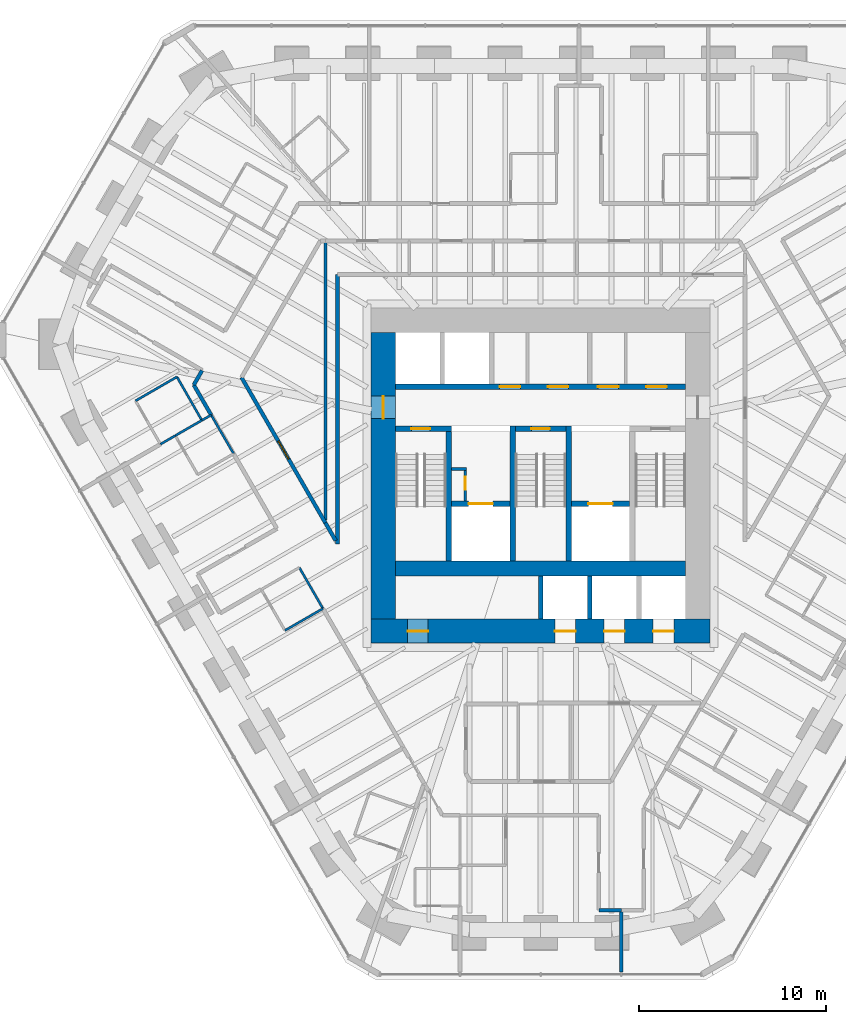
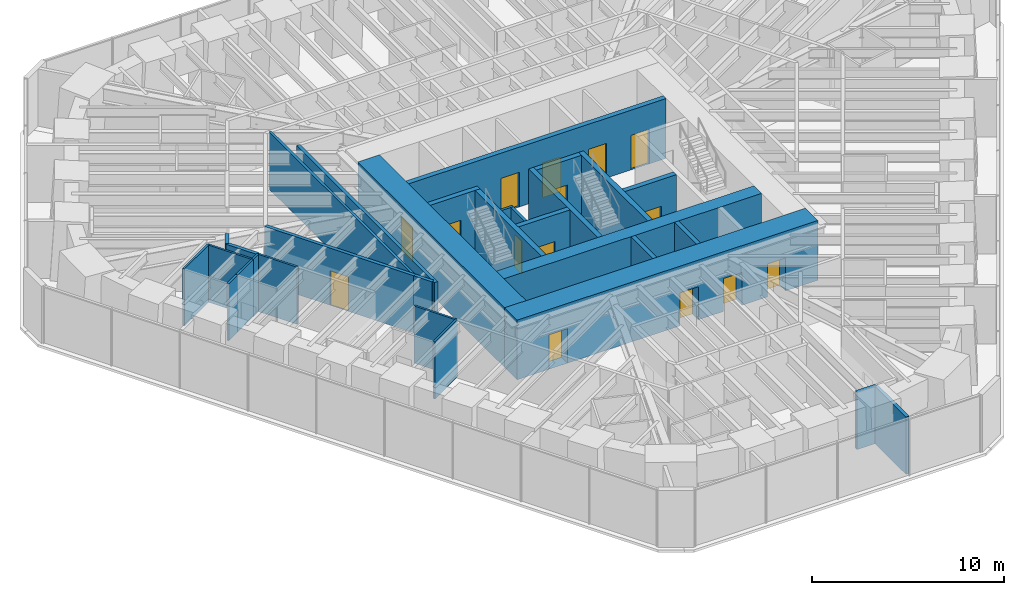
# One storey, part 12 of 17: 31 walls, 15 doors, 15 openings.
"""IFC4 building model written with IfcOpenShell, lengths in metres."""

import ifcopenshell
import ifcopenshell.guid

model = None  # the IFC model being written
_history = None  # IfcOwnerHistory: only IFC2X3 demands one
_inside = {}  # id of a spatial element -> (the spatial element, [elements in it])
_under = {}  # id of a project, library or spatial element -> (it, [spatial elements below it])
_declared = {}  # id of a project -> (the project, [libraries it declares])
_typed = {}  # id of a type object -> (the type object, [elements of that type])
_made_of = {}  # id of a material, layer set ... -> (it, [elements and type objects made of it])


def new_model(schema):
    """Start an empty IFC model of exactly this schema.

    Asked for "IFC4X3", IfcOpenShell would pick the latest addendum, in which some entities
    have other attributes; the version numbers below select the first issue.
    IFC2X3 requires an IfcOwnerHistory on every rooted entity: one is made here for all.
    """
    global model, _history
    if schema == "IFC4X3":
        model = ifcopenshell.file(schema_version=(4, 3, 0, 0))
    else:
        model = ifcopenshell.file(schema=schema)
    _inside.clear()
    _under.clear()
    _declared.clear()
    _typed.clear()
    _made_of.clear()
    _history = None
    if model.schema == "IFC2X3":
        org = make("IfcOrganization", Name="unknown")
        user = make(
            "IfcPersonAndOrganization",
            ThePerson=make("IfcPerson", FamilyName="unknown"),
            TheOrganization=org,
        )
        app = make(
            "IfcApplication",
            ApplicationDeveloper=org,
            Version="unknown",
            ApplicationFullName="unknown",
            ApplicationIdentifier="unknown",
        )
        _history = make(
            "IfcOwnerHistory",
            OwningUser=user,
            OwningApplication=app,
            ChangeAction="ADDED",
            CreationDate=0,
        )
    return model


def make(cls, **values):
    """One entity of the class cls with the attributes given. An attribute that is None is left unset."""
    return model.create_entity(
        cls, **{name: value for name, value in values.items() if value is not None}
    )


def rooted(cls, **values):
    """An entity with a GlobalId (a new one), such as an element, a storey or a relation."""
    return make(cls, GlobalId=ifcopenshell.guid.new(), OwnerHistory=_history, **values)


def si_unit(unit_type, name, prefix=None):
    """IfcSIUnit, for example si_unit("LENGTHUNIT", "METRE", prefix="MILLI")."""
    return make("IfcSIUnit", UnitType=unit_type, Prefix=prefix, Name=name)


def assignment(units):
    """IfcUnitAssignment: the units of a project."""
    return None if units is None else make("IfcUnitAssignment", Units=units)


def point(xyz):
    """IfcCartesianPoint."""
    return None if xyz is None else make("IfcCartesianPoint", Coordinates=xyz)


def direction(xyz):
    """IfcDirection."""
    return None if xyz is None else make("IfcDirection", DirectionRatios=xyz)


def frame(location, z_axis=None, x_axis=None):
    """IfcAxis2Placement3D, a coordinate frame: its origin and axes. An axis left out is left unset."""
    return make(
        "IfcAxis2Placement3D",
        Location=point(location),
        Axis=direction(z_axis),
        RefDirection=direction(x_axis),
    )


def frame_2d(location, x_axis=None):
    """IfcAxis2Placement2D, a coordinate frame in the plane: its origin and x axis."""
    return make(
        "IfcAxis2Placement2D", Location=point(location), RefDirection=direction(x_axis)
    )


def origin():
    """The frame at (0, 0, 0) with its axes left unset."""
    return frame((0.0, 0.0, 0.0))


def place(relative_to, where):
    """IfcLocalPlacement: puts the frame where relative to a parent placement (None: the world)."""
    return make(
        "IfcLocalPlacement", PlacementRelTo=relative_to, RelativePlacement=where
    )


def context(
    kind, dimensions, precision=None, world=None, true_north=None, identifier=None
):
    """IfcGeometricRepresentationContext, for example the 3D "Model" context."""
    return make(
        "IfcGeometricRepresentationContext",
        ContextIdentifier=identifier,
        ContextType=kind,
        CoordinateSpaceDimension=dimensions,
        Precision=precision,
        WorldCoordinateSystem=world,
        TrueNorth=true_north,
    )


def subcontext(parent, identifier, kind, view, scale=None):
    """IfcGeometricRepresentationSubContext, for example "Body" below "Model"."""
    return make(
        "IfcGeometricRepresentationSubContext",
        ContextIdentifier=identifier,
        ContextType=kind,
        ParentContext=parent,
        TargetScale=scale,
        TargetView=view,
    )


def project(units=None, contexts=None):
    """IfcProject with its units and contexts."""
    return rooted(
        "IfcProject",
        Name="project",
        RepresentationContexts=contexts,
        UnitsInContext=assignment(units),
    )


def spatial(cls, under=None, at=None, **own):
    """A site, building, storey or space (cls), placed at a placement, below another one or the project."""
    s = rooted(cls, ObjectPlacement=at, **own)
    if under is not None:
        _under.setdefault(under.id(), (under, []))[1].append(s)
    return s


def profile(cls, at=None, kind="AREA", **sizes):
    """A parametric profile (cls). Its sizes go by their IFC names, for example OverallWidth=200.0."""
    return make(cls, ProfileType=kind, Position=at, **sizes)


def rectangle(**sizes):
    """IfcRectangleProfileDef."""
    return profile("IfcRectangleProfileDef", **sizes)


def extrude(swept, where, along, depth):
    """IfcExtrudedAreaSolid: the profile swept, set in the frame where, extruded along a direction by depth."""
    return make(
        "IfcExtrudedAreaSolid",
        SweptArea=swept,
        Position=where,
        ExtrudedDirection=direction(along),
        Depth=depth,
    )


def shape(context_of_items, identifier, shape_type, items):
    """IfcShapeRepresentation: the items that make up one representation, for example the "Body"."""
    return make(
        "IfcShapeRepresentation",
        ContextOfItems=context_of_items,
        RepresentationIdentifier=identifier,
        RepresentationType=shape_type,
        Items=items,
    )


def material(Name=None, Category=None):
    """IfcMaterial."""
    return make("IfcMaterial", Name=Name, Category=Category)


def layer(
    of_material, thickness, ventilated=None, Name=None, Category=None, Priority=None
):
    """IfcMaterialLayer: one layer of a wall or slab, of a material (None: an air gap)."""
    return make(
        "IfcMaterialLayer",
        Material=of_material,
        LayerThickness=thickness,
        IsVentilated=ventilated,
        Name=Name,
        Category=Category,
        Priority=Priority,
    )


def layer_set(layers, Name=None):
    """IfcMaterialLayerSet."""
    return make("IfcMaterialLayerSet", MaterialLayers=layers, LayerSetName=Name)


def made_of(thing, what):
    """Note that an element or type object is made of a material, layer set ...; save() writes the relation."""
    if what is not None:
        _made_of.setdefault(what.id(), (what, []))[1].append(thing)
    return thing


def type_object(cls, material=None, **own):
    """A type object (cls), such as IfcWallType, which elements share."""
    return made_of(rooted(cls, **own), material)


def element(
    cls,
    number,
    at=None,
    inside=None,
    cuts=None,
    type_object=None,
    material=None,
    context=None,
    identifier="Body",
    shape_type=None,
    held_by="IfcProductDefinitionShape",
    body=None,
    shapes=None,
    **own,
):
    """One element of the class cls, such as IfcWall. Its Tag is "e" and its number.

    at: its placement. inside: the storey or other place that contains it. cuts: it is an
    opening in that element (IfcRelVoidsElement). A single representation is given by context,
    identifier, shape_type and body (its items); several are given by shapes. held_by: the class
    of the entity that holds the representations. save() writes the other relations.
    """
    e = rooted(cls, Tag="e%d" % number, ObjectPlacement=at, **own)
    if body is not None:
        shapes = [shape(context, identifier, shape_type, body)]
    if shapes is not None:
        e.Representation = make(held_by, Representations=shapes)
    if inside is not None:
        _inside.setdefault(inside.id(), (inside, []))[1].append(e)
    if cuts is not None:
        rooted(
            "IfcRelVoidsElement", RelatingBuildingElement=cuts, RelatedOpeningElement=e
        )
    if type_object is not None:
        _typed.setdefault(type_object.id(), (type_object, []))[1].append(e)
    return made_of(e, material)


def fill(opening, filler):
    """IfcRelFillsElement: the door or window that sits in an opening."""
    return rooted(
        "IfcRelFillsElement",
        RelatingOpeningElement=opening,
        RelatedBuildingElement=filler,
    )


def aggregate(whole, parts):
    """IfcRelAggregates: a whole, such as a stair, and the parts it consists of."""
    return rooted("IfcRelAggregates", RelatingObject=whole, RelatedObjects=parts)


def save(model, path):
    """Write the relations noted so far, then the file.

    IfcRelAggregates (storeys below a building ...), IfcRelContainedInSpatialStructure (elements
    in a storey), IfcRelDefinesByType, IfcRelAssociatesMaterial and IfcRelDeclares: one each for
    every whole, place, type object, material and project.
    """
    for whole, parts in _under.values():
        aggregate(whole, parts)
    for where, things in _inside.values():
        rooted(
            "IfcRelContainedInSpatialStructure",
            RelatedElements=things,
            RelatingStructure=where,
        )
    for kind, things in _typed.values():
        rooted("IfcRelDefinesByType", RelatedObjects=things, RelatingType=kind)
    for what, things in _made_of.values():
        rooted("IfcRelAssociatesMaterial", RelatedObjects=things, RelatingMaterial=what)
    for by, libraries in _declared.values():
        rooted("IfcRelDeclares", RelatingContext=by, RelatedDefinitions=libraries)
    model.write(path)


model = new_model("IFC4")

# Units and contexts
model_context = context("Model", 3, precision=1e-05, world=origin(), true_north=direction((0.0, 1.0)))
body_context = subcontext(model_context, "Body", "Model", "MODEL_VIEW")
ifc_project = project(units=[si_unit("LENGTHUNIT", "METRE"), si_unit("AREAUNIT", "SQUARE_METRE"), si_unit("VOLUMEUNIT", "CUBIC_METRE"), si_unit("PLANEANGLEUNIT", "RADIAN"), si_unit("MASSUNIT", "GRAM", prefix="KILO")], contexts=[model_context])

# Site, building, storey
site_placement = place(None, origin())
site = spatial("IfcSite", under=ifc_project, at=site_placement, CompositionType="ELEMENT")
building_placement = place(site_placement, origin())
building = spatial("IfcBuilding", under=site, at=building_placement, Name="Sandreach Pilgrim Tower", CompositionType="ELEMENT")
storey_placement = place(building_placement, frame((0.0, 0.0, 165.199951171875)))
storey = spatial("IfcBuildingStorey", under=building, at=storey_placement, Name="L41", CompositionType="ELEMENT", Elevation=165.199951171875)

# Walls
ifc_material_1 = material(Name="Gypsum board on steel studs", Category="steel")
ifc_layer_1 = layer(ifc_material_1, 0.14990234375)
ifc_layer_set_1 = layer_set([ifc_layer_1], Name="Back of house wall 150")
wall_type_1 = type_object("IfcWallType", Name="Back of house wall 150", PredefinedType="PARTITIONING", material=ifc_layer_set_1)
wall_1_placement = place(storey_placement, frame((-11.5, 10.989990234375, 0.0), z_axis=(0.0, 0.0, 1.0), x_axis=(0.0, -1.0, 0.0)))
element("IfcWall", 1, at=wall_1_placement, inside=storey, type_object=wall_type_1, Name="Back of house wall L41-050", PredefinedType="PARTITIONING", context=body_context, shape_type="SweptSolid", body=[
    extrude(rectangle(XDim=14.905029296875, YDim=0.14990234375, at=frame_2d((7.45263671875, 0.0))), origin(), (0.0, 0.0, 1.0), 3.64013671875),
])
ifc_material_2 = material(Name="Moisture-resistant gypsum board on steel studs", Category="steel")
ifc_layer_2 = layer(ifc_material_2, 0.1201171875)
ifc_layer_set_2 = layer_set([ifc_layer_2], Name="Bathroom partition 120")
wall_type_2 = type_object("IfcWallType", Name="Bathroom partition 120", PredefinedType="PARTITIONING", material=ifc_layer_set_2)
wall_2_placement = place(storey_placement, frame((-20.31005859375, 0.1298828125, 0.0), z_axis=(0.0, 0.0, 1.0), x_axis=(0.864088651014, 0.503339649926, 0.0)))
element("IfcWall", 2, at=wall_2_placement, inside=storey, type_object=wall_type_2, Name="Bathroom partition L41-009", PredefinedType="PARTITIONING", context=body_context, shape_type="SweptSolid", body=[
    extrude(rectangle(XDim=0.914306640625, YDim=0.1201171875, at=frame_2d((0.45703125, 0.0))), origin(), (0.0, 0.0, 1.0), 3.64013671875),
])
wall_3_placement = place(storey_placement, frame((-19.52001953125, 0.590087890625, 0.0), z_axis=(0.0, 0.0, 1.0), x_axis=(0.86741733639, 0.49758131449, 0.0)))
element("IfcWall", 3, at=wall_3_placement, inside=storey, type_object=wall_type_2, Name="Bathroom partition L41-011", PredefinedType="PARTITIONING", context=body_context, shape_type="SweptSolid", body=[
    extrude(rectangle(XDim=1.6396484375, YDim=0.1201171875, at=frame_2d((0.81982421875, 0.0))), origin(), (0.0, 0.0, 1.0), 3.64013671875),
])
wall_4_placement = place(storey_placement, frame((-19.429931640625, 3.72998046875, 0.0), z_axis=(0.0, 0.0, 1.0), x_axis=(-0.865328095335, -0.50120583339, 0.0)))
element("IfcWall", 4, at=wall_4_placement, inside=storey, type_object=wall_type_2, Name="Bathroom partition L41-012", PredefinedType="PARTITIONING", context=body_context, shape_type="SweptSolid", body=[
    extrude(rectangle(XDim=2.553955078125, YDim=0.1201171875, at=frame_2d((1.27685546875, 0.0))), origin(), (0.0, 0.0, 1.0), 3.64013671875),
])
wall_5_placement = place(storey_placement, frame((-18.10009765625, 1.409912109375, 0.0), z_axis=(0.0, 0.0, 1.0), x_axis=(-0.497288831399, 0.867585049529, 0.0)))
element("IfcWall", 5, at=wall_5_placement, inside=storey, type_object=wall_type_2, Name="Bathroom partition L41-017", PredefinedType="PARTITIONING", context=body_context, shape_type="SweptSolid", body=[
    extrude(rectangle(XDim=2.674072265625, YDim=0.1201171875, at=frame_2d((1.3369140625, 0.0))), origin(), (0.0, 0.0, 1.0), 3.64013671875),
])
wall_6_placement = place(storey_placement, frame((-18.09765625, 1.406005859375, 0.0), z_axis=(0.0, 0.0, 1.0), x_axis=(0.86863611018, 0.495450611152, 0.0)))
element("IfcWall", 6, at=wall_6_placement, inside=storey, type_object=wall_type_2, Name="Bathroom partition L41-018", PredefinedType="PARTITIONING", context=body_context, shape_type="SweptSolid", body=[
    extrude(rectangle(XDim=0.572998046875, YDim=0.1201171875, at=frame_2d((0.28662109375, 0.0))), origin(), (0.0, 0.0, 1.0), 3.64013671875),
])
wall_7_placement = place(storey_placement, frame((-17.60009765625, 1.68994140625, 0.0), z_axis=(0.0, 0.0, 1.0), x_axis=(0.501623408317, -0.865086097581, 0.0)))
element("IfcWall", 7, at=wall_7_placement, inside=storey, type_object=wall_type_2, Name="Bathroom partition L41-021", PredefinedType="PARTITIONING", context=body_context, shape_type="SweptSolid", body=[
    extrude(rectangle(XDim=2.392578125, YDim=0.1201171875, at=frame_2d((1.1962890625, 0.0))), origin(), (0.0, 0.0, 1.0), 3.64013671875),
])
wall_8_placement = place(storey_placement, frame((-13.659912109375, -9.820068359375, 0.0), z_axis=(0.0, 0.0, 1.0), x_axis=(0.866345142729, 0.499445786517, 0.0)))
element("IfcWall", 8, at=wall_8_placement, inside=storey, type_object=wall_type_2, Name="Bathroom partition L41-041", PredefinedType="PARTITIONING", context=body_context, shape_type="SweptSolid", body=[
    extrude(rectangle(XDim=2.343017578125, YDim=0.1201171875, at=frame_2d((1.17138671875, 0.0))), origin(), (0.0, 0.0, 1.0), 3.64013671875),
])
wall_9_placement = place(storey_placement, frame((-12.889892578125, -6.4599609375, 0.0), z_axis=(0.0, 0.0, 1.0), x_axis=(0.498707120669, -0.866770562372, 0.0)))
element("IfcWall", 9, at=wall_9_placement, inside=storey, type_object=wall_type_2, Name="Bathroom partition L41-043", PredefinedType="PARTITIONING", context=body_context, shape_type="SweptSolid", body=[
    extrude(rectangle(XDim=2.526611328125, YDim=0.1201171875, at=frame_2d((1.26318359375, 0.0))), origin(), (0.0, 0.0, 1.0), 3.64013671875),
])
ifc_material_3 = material(Name="Concrete 10000 psi", Category="concrete")
ifc_layer_3 = layer(ifc_material_3, 0.300048828125)
ifc_layer_set_3 = layer_set([ifc_layer_3], Name="Core inner wall 300")
wall_type_3 = type_object("IfcWallType", Name="Core inner wall 300", PredefinedType="SHEAR", material=ifc_layer_set_3)
for number, where, z_axis, x_axis, name in (
    (10, (-4.89990234375, -6.10009765625, 0.0), (0.0, 0.0, 1.0), (0.0, 1.0, 0.0), "Core wall I0 L41"),
    (11, (-1.5, -6.10009765625, 0.0), (0.0, 0.0, 1.0), (0.0, 1.0, 0.0), "Core wall I1 L41"),
    (12, (1.5, -6.10009765625, 0.0), (0.0, 0.0, 1.0), (0.0, 1.0, 0.0), "Core wall I2 L41"),
):
    element("IfcWall", number, at=place(storey_placement, frame(where, z_axis=z_axis, x_axis=x_axis)), inside=storey, type_object=wall_type_3, Name=name, PredefinedType="SHEAR", context=body_context, shape_type="SweptSolid", body=[
        extrude(rectangle(XDim=7.2001953125, YDim=0.300048828125, at=frame_2d((3.60009765625, 0.0))), origin(), (0.0, 0.0, 1.0), 3.800048828125),
    ])

# Wall, opening, door
wall_10_placement = place(storey_placement, frame((-7.75, 0.949951171875, 0.0), z_axis=(0.0, 0.0, 1.0), x_axis=(1.0, 0.0, 0.0)))
wall_10 = element("IfcWall", 13, at=wall_10_placement, inside=storey, type_object=wall_type_3, Name="Core wall SN1 L41", PredefinedType="SHEAR", context=body_context, shape_type="SweptSolid", body=[
    extrude(rectangle(XDim=3.0, YDim=0.300048828125, at=frame_2d((1.5, 0.0))), origin(), (0.0, 0.0, 1.0), 3.800048828125),
])
opening_1_placement = place(wall_10_placement, frame((0.85009765625, 0.0, 0.0)))
opening_1 = element("IfcOpeningElement", 14, at=opening_1_placement, cuts=wall_10, Name="Opening D10S-ST1", PredefinedType="OPENING", context=body_context, shape_type="SweptSolid", body=[
    extrude(rectangle(XDim=1.0, YDim=2.199951171875, at=frame_2d((0.5, 1.10009765625))), frame((0.0, 0.14990234375, 0.0), z_axis=(0.0, -1.0, 0.0), x_axis=(1.0, 0.0, 0.0)), (0.0, 0.0, 1.0), 0.300048828125),
])
ifc_material_4 = material(Name="Steel door and frame", Category="steel")
door_type_1 = type_object("IfcDoorType", Name="Stair door", OperationType="SINGLE_SWING_LEFT", PredefinedType="DOOR", material=ifc_material_4)
door_1_placement = place(opening_1_placement, origin())
door_1 = element("IfcDoor", 15, at=door_1_placement, inside=storey, type_object=door_type_1, Name="Stair door ST1 L41", OperationType="SINGLE_SWING_LEFT", OverallHeight=2.199951171875, OverallWidth=1.0, PredefinedType="DOOR", context=body_context, shape_type="SweptSolid", body=[
    extrude(rectangle(XDim=1.0, YDim=2.199951171875, at=frame_2d((0.5, 1.10009765625))), frame((0.0, 0.02490234375, 0.0), z_axis=(0.0, -1.0, 0.0), x_axis=(1.0, 0.0, 0.0)), (0.0, 0.0, 1.0), 0.050048828125),
])
fill(opening_1, door_1)

wall_11_placement = place(storey_placement, frame((-1.35009765625, 0.949951171875, 0.0), z_axis=(0.0, 0.0, 1.0), x_axis=(1.0, 0.0, 0.0)))
wall_11 = element("IfcWall", 16, at=wall_11_placement, inside=storey, type_object=wall_type_3, Name="Core wall SN3 L41", PredefinedType="SHEAR", context=body_context, shape_type="SweptSolid", body=[
    extrude(rectangle(XDim=2.7001953125, YDim=0.300048828125, at=frame_2d((1.35009765625, 0.0))), origin(), (0.0, 0.0, 1.0), 3.800048828125),
])
opening_2_placement = place(wall_11_placement, frame((0.85009765625, 0.0, 0.0)))
opening_2 = element("IfcOpeningElement", 17, at=opening_2_placement, cuts=wall_11, Name="Opening D10S-ST3", PredefinedType="OPENING", context=body_context, shape_type="SweptSolid", body=[
    extrude(rectangle(XDim=1.0, YDim=2.199951171875, at=frame_2d((0.5, 1.10009765625))), frame((0.0, 0.14990234375, 0.0), z_axis=(0.0, -1.0, 0.0), x_axis=(1.0, 0.0, 0.0)), (0.0, 0.0, 1.0), 0.300048828125),
])
door_2_placement = place(opening_2_placement, origin())
door_2 = element("IfcDoor", 18, at=door_2_placement, inside=storey, type_object=door_type_1, Name="Stair door ST3 L41", OperationType="SINGLE_SWING_LEFT", OverallHeight=2.199951171875, OverallWidth=1.0, PredefinedType="DOOR", context=body_context, shape_type="SweptSolid", body=[
    extrude(rectangle(XDim=1.0, YDim=2.199951171875, at=frame_2d((0.5, 1.10009765625))), frame((0.0, 0.02490234375, 0.0), z_axis=(0.0, -1.0, 0.0), x_axis=(1.0, 0.0, 0.0)), (0.0, 0.0, 1.0), 0.050048828125),
])
fill(opening_2, door_2)

wall_12_placement = place(storey_placement, frame((-4.75, -3.050048828125, 0.0), z_axis=(0.0, 0.0, 1.0), x_axis=(1.0, 0.0, 0.0)))
wall_12 = element("IfcWall", 19, at=wall_12_placement, inside=storey, type_object=wall_type_3, Name="Core wall FL1 L41", PredefinedType="SHEAR", context=body_context, shape_type="SweptSolid", body=[
    extrude(rectangle(XDim=3.10009765625, YDim=0.300048828125, at=frame_2d((1.550048828125, 0.0))), origin(), (0.0, 0.0, 1.0), 3.800048828125),
])
opening_3_placement = place(wall_12_placement, frame((0.89990234375, 0.0, 0.0)))
opening_3 = element("IfcOpeningElement", 20, at=opening_3_placement, cuts=wall_12, Name="Opening LD13", PredefinedType="OPENING", context=body_context, shape_type="SweptSolid", body=[
    extrude(rectangle(XDim=1.300048828125, YDim=2.10009765625, at=frame_2d((0.64990234375, 1.050048828125))), frame((0.0, 0.14990234375, 0.0), z_axis=(0.0, -1.0, 0.0), x_axis=(1.0, 0.0, 0.0)), (0.0, 0.0, 1.0), 0.300048828125),
])
ifc_material_5 = material(Name="Steel door and frame", Category="steel")
door_type_2 = type_object("IfcDoorType", Name="Fire service lift landing door", OperationType="DOUBLE_DOOR_SLIDING", PredefinedType="DOOR", material=ifc_material_5)
door_3_placement = place(opening_3_placement, origin())
door_3 = element("IfcDoor", 21, at=door_3_placement, inside=storey, type_object=door_type_2, Name="Lift landing door FS1 L41", OperationType="DOUBLE_DOOR_SLIDING", OverallHeight=2.10009765625, OverallWidth=1.300048828125, PredefinedType="DOOR", context=body_context, shape_type="SweptSolid", body=[
    extrude(rectangle(XDim=1.300048828125, YDim=2.10009765625, at=frame_2d((0.64990234375, 1.050048828125))), frame((0.0, 0.02490234375, 0.0), z_axis=(0.0, -1.0, 0.0), x_axis=(1.0, 0.0, 0.0)), (0.0, 0.0, 1.0), 0.050048828125),
])
fill(opening_3, door_3)

wall_13_placement = place(storey_placement, frame((1.64990234375, -3.050048828125, 0.0), z_axis=(0.0, 0.0, 1.0), x_axis=(1.0, 0.0, 0.0)))
wall_13 = element("IfcWall", 22, at=wall_13_placement, inside=storey, type_object=wall_type_3, Name="Core wall FL2 L41", PredefinedType="SHEAR", context=body_context, shape_type="SweptSolid", body=[
    extrude(rectangle(XDim=3.10009765625, YDim=0.300048828125, at=frame_2d((1.550048828125, 0.0))), origin(), (0.0, 0.0, 1.0), 3.800048828125),
])
opening_4_placement = place(wall_13_placement, frame((0.89990234375, 0.0, 0.0)))
opening_4 = element("IfcOpeningElement", 23, at=opening_4_placement, cuts=wall_13, Name="Opening LD13", PredefinedType="OPENING", context=body_context, shape_type="SweptSolid", body=[
    extrude(rectangle(XDim=1.300048828125, YDim=2.10009765625, at=frame_2d((0.64990234375, 1.050048828125))), frame((0.0, 0.14990234375, 0.0), z_axis=(0.0, -1.0, 0.0), x_axis=(1.0, 0.0, 0.0)), (0.0, 0.0, 1.0), 0.300048828125),
])
door_4_placement = place(opening_4_placement, origin())
door_4 = element("IfcDoor", 24, at=door_4_placement, inside=storey, type_object=door_type_2, Name="Lift landing door FS2 L41", OperationType="DOUBLE_DOOR_SLIDING", OverallHeight=2.10009765625, OverallWidth=1.300048828125, PredefinedType="DOOR", context=body_context, shape_type="SweptSolid", body=[
    extrude(rectangle(XDim=1.300048828125, YDim=2.10009765625, at=frame_2d((0.64990234375, 1.050048828125))), frame((0.0, 0.02490234375, 0.0), z_axis=(0.0, -1.0, 0.0), x_axis=(1.0, 0.0, 0.0)), (0.0, 0.0, 1.0), 0.050048828125),
])
fill(opening_4, door_4)

# Wall, openings, doors
wall_14_placement = place(storey_placement, frame((-7.75, 3.199951171875, 0.0), z_axis=(0.0, 0.0, 1.0), x_axis=(1.0, 0.0, 0.0)))
wall_14 = element("IfcWall", 25, at=wall_14_placement, inside=storey, type_object=wall_type_3, Name="Core wall PN L41", PredefinedType="SHEAR", context=body_context, shape_type="SweptSolid", body=[
    extrude(rectangle(XDim=15.5, YDim=0.300048828125, at=frame_2d((7.75, 0.0))), origin(), (0.0, 0.0, 1.0), 3.800048828125),
])
opening_5_placement = place(wall_14_placement, frame((5.5625, 0.0, 0.0)))
opening_5 = element("IfcOpeningElement", 26, at=opening_5_placement, cuts=wall_14, Name="Opening D11L", PredefinedType="OPENING", context=body_context, shape_type="SweptSolid", body=[
    extrude(rectangle(XDim=1.10009765625, YDim=2.199951171875, at=frame_2d((0.550048828125, 1.10009765625))), frame((0.0, 0.14990234375, 0.0), z_axis=(0.0, -1.0, 0.0), x_axis=(1.0, 0.0, 0.0)), (0.0, 0.0, 1.0), 0.300048828125),
])
opening_6_placement = place(wall_14_placement, frame((8.137451171875, 0.0, 0.0)))
opening_6 = element("IfcOpeningElement", 27, at=opening_6_placement, cuts=wall_14, Name="Opening D11L", PredefinedType="OPENING", context=body_context, shape_type="SweptSolid", body=[
    extrude(rectangle(XDim=1.10009765625, YDim=2.199951171875, at=frame_2d((0.550048828125, 1.10009765625))), frame((0.0, 0.14990234375, 0.0), z_axis=(0.0, -1.0, 0.0), x_axis=(1.0, 0.0, 0.0)), (0.0, 0.0, 1.0), 0.300048828125),
])
opening_7_placement = place(wall_14_placement, frame((10.8125, 0.0, 0.0)))
opening_7 = element("IfcOpeningElement", 28, at=opening_7_placement, cuts=wall_14, Name="Opening D11L", PredefinedType="OPENING", context=body_context, shape_type="SweptSolid", body=[
    extrude(rectangle(XDim=1.10009765625, YDim=2.199951171875, at=frame_2d((0.550048828125, 1.10009765625))), frame((0.0, 0.14990234375, 0.0), z_axis=(0.0, -1.0, 0.0), x_axis=(1.0, 0.0, 0.0)), (0.0, 0.0, 1.0), 0.300048828125),
])
opening_8_placement = place(wall_14_placement, frame((13.387451171875, 0.0, 0.0)))
opening_8 = element("IfcOpeningElement", 29, at=opening_8_placement, cuts=wall_14, Name="Opening D11L", PredefinedType="OPENING", context=body_context, shape_type="SweptSolid", body=[
    extrude(rectangle(XDim=1.10009765625, YDim=2.199951171875, at=frame_2d((0.550048828125, 1.10009765625))), frame((0.0, 0.14990234375, 0.0), z_axis=(0.0, -1.0, 0.0), x_axis=(1.0, 0.0, 0.0)), (0.0, 0.0, 1.0), 0.300048828125),
])
ifc_material_6 = material(Name="Steel door and frame, smoke seals", Category="steel")
door_type_3 = type_object("IfcDoorType", Name="Core room door", OperationType="SINGLE_SWING_LEFT", PredefinedType="DOOR", material=ifc_material_6)
door_5_placement = place(opening_5_placement, origin())
door_5 = element("IfcDoor", 30, at=door_5_placement, inside=storey, type_object=door_type_3, Name="Door guest pantry 41K1", OperationType="SINGLE_SWING_LEFT", OverallHeight=2.199951171875, OverallWidth=1.10009765625, PredefinedType="DOOR", context=body_context, shape_type="SweptSolid", body=[
    extrude(rectangle(XDim=1.10009765625, YDim=2.199951171875, at=frame_2d((0.550048828125, 1.10009765625))), frame((0.0, 0.02490234375, 0.0), z_axis=(0.0, -1.0, 0.0), x_axis=(1.0, 0.0, 0.0)), (0.0, 0.0, 1.0), 0.050048828125),
])
fill(opening_5, door_5)
door_6_placement = place(opening_6_placement, origin())
door_6 = element("IfcDoor", 31, at=door_6_placement, inside=storey, type_object=door_type_3, Name="Door vending and ice room 41K2", OperationType="SINGLE_SWING_RIGHT", OverallHeight=2.199951171875, OverallWidth=1.10009765625, PredefinedType="DOOR", context=body_context, shape_type="SweptSolid", body=[
    extrude(rectangle(XDim=1.10009765625, YDim=2.199951171875, at=frame_2d((0.550048828125, 1.10009765625))), frame((0.0, 0.02490234375, 0.0), z_axis=(0.0, -1.0, 0.0), x_axis=(1.0, 0.0, 0.0)), (0.0, 0.0, 1.0), 0.050048828125),
])
fill(opening_6, door_6)
door_7_placement = place(opening_7_placement, origin())
door_7 = element("IfcDoor", 32, at=door_7_placement, inside=storey, type_object=door_type_3, Name="Door it room 41K3", OperationType="SINGLE_SWING_RIGHT", OverallHeight=2.199951171875, OverallWidth=1.10009765625, PredefinedType="DOOR", context=body_context, shape_type="SweptSolid", body=[
    extrude(rectangle(XDim=1.10009765625, YDim=2.199951171875, at=frame_2d((0.550048828125, 1.10009765625))), frame((0.0, 0.02490234375, 0.0), z_axis=(0.0, -1.0, 0.0), x_axis=(1.0, 0.0, 0.0)), (0.0, 0.0, 1.0), 0.050048828125),
])
fill(opening_7, door_7)
door_8_placement = place(opening_8_placement, origin())
door_8 = element("IfcDoor", 33, at=door_8_placement, inside=storey, type_object=door_type_3, Name="Door refuse room 41K4", OperationType="SINGLE_SWING_RIGHT", OverallHeight=2.199951171875, OverallWidth=1.10009765625, PredefinedType="DOOR", context=body_context, shape_type="SweptSolid", body=[
    extrude(rectangle(XDim=1.10009765625, YDim=2.199951171875, at=frame_2d((0.550048828125, 1.10009765625))), frame((0.0, 0.02490234375, 0.0), z_axis=(0.0, -1.0, 0.0), x_axis=(1.0, 0.0, 0.0)), (0.0, 0.0, 1.0), 0.050048828125),
])
fill(opening_8, door_8)

# Wall
ifc_material_7 = material(Name="Concrete 10000 psi", Category="concrete")
ifc_layer_4 = layer(ifc_material_7, 0.800048828125)
ifc_layer_set_4 = layer_set([ifc_layer_4], Name="Core mid wall 800")
wall_type_4 = type_object("IfcWallType", Name="Core mid wall 800", PredefinedType="SHEAR", material=ifc_layer_set_4)
wall_15_placement = place(storey_placement, frame((-7.75, -6.5, 0.0), z_axis=(0.0, 0.0, 1.0), x_axis=(1.0, 0.0, 0.0)))
element("IfcWall", 34, at=wall_15_placement, inside=storey, type_object=wall_type_4, Name="Core wall M L41", PredefinedType="SHEAR", context=body_context, shape_type="SweptSolid", body=[
    extrude(rectangle(XDim=15.5, YDim=0.800048828125, at=frame_2d((7.75, 0.0))), origin(), (0.0, 0.0, 1.0), 3.800048828125),
])

# Wall, openings, doors
ifc_material_8 = material(Name="Concrete 10000 psi", Category="concrete")
ifc_layer_5 = layer(ifc_material_8, 1.300048828125)
ifc_layer_set_5 = layer_set([ifc_layer_5], Name="Core wall 1300")
wall_type_5 = type_object("IfcWallType", Name="Core wall 1300", PredefinedType="SHEAR", material=ifc_layer_set_5)
wall_16_placement = place(storey_placement, frame((-9.050048828125, -9.85009765625, 0.0), z_axis=(0.0, 0.0, 1.0), x_axis=(1.0, 0.0, 0.0)))
wall_16 = element("IfcWall", 35, at=wall_16_placement, inside=storey, type_object=wall_type_5, Name="Core wall S L41", PredefinedType="SHEAR", context=body_context, shape_type="SweptSolid", body=[
    extrude(rectangle(XDim=18.10009765625, YDim=1.300048828125, at=frame_2d((9.050048828125, 0.0))), origin(), (0.0, 0.0, 1.0), 3.800048828125),
])
opening_9_placement = place(wall_16_placement, frame((1.9375, 0.0, 0.0)))
opening_9 = element("IfcOpeningElement", 36, at=opening_9_placement, cuts=wall_16, Name="Opening D11H", PredefinedType="OPENING", context=body_context, shape_type="SweptSolid", body=[
    extrude(rectangle(XDim=1.10009765625, YDim=2.199951171875, at=frame_2d((0.550048828125, 1.10009765625))), frame((0.0, 0.64990234375, 0.0), z_axis=(0.0, -1.0, 0.0), x_axis=(1.0, 0.0, 0.0)), (0.0, 0.0, 1.0), 1.300048828125),
])
opening_10_placement = place(wall_16_placement, frame((9.8125, 0.0, 0.0)))
opening_10 = element("IfcOpeningElement", 37, at=opening_10_placement, cuts=wall_16, Name="Opening LD11", PredefinedType="OPENING", context=body_context, shape_type="SweptSolid", body=[
    extrude(rectangle(XDim=1.10009765625, YDim=2.10009765625, at=frame_2d((0.550048828125, 1.050048828125))), frame((0.0, 0.64990234375, 0.0), z_axis=(0.0, -1.0, 0.0), x_axis=(1.0, 0.0, 0.0)), (0.0, 0.0, 1.0), 1.300048828125),
])
opening_11_placement = place(wall_16_placement, frame((12.4375, 0.0, 0.0)))
opening_11 = element("IfcOpeningElement", 38, at=opening_11_placement, cuts=wall_16, Name="Opening LD11", PredefinedType="OPENING", context=body_context, shape_type="SweptSolid", body=[
    extrude(rectangle(XDim=1.10009765625, YDim=2.10009765625, at=frame_2d((0.550048828125, 1.050048828125))), frame((0.0, 0.64990234375, 0.0), z_axis=(0.0, -1.0, 0.0), x_axis=(1.0, 0.0, 0.0)), (0.0, 0.0, 1.0), 1.300048828125),
])
opening_12_placement = place(wall_16_placement, frame((15.0625, 0.0, 0.0)))
opening_12 = element("IfcOpeningElement", 39, at=opening_12_placement, cuts=wall_16, Name="Opening LD11", PredefinedType="OPENING", context=body_context, shape_type="SweptSolid", body=[
    extrude(rectangle(XDim=1.10009765625, YDim=2.10009765625, at=frame_2d((0.550048828125, 1.050048828125))), frame((0.0, 0.64990234375, 0.0), z_axis=(0.0, -1.0, 0.0), x_axis=(1.0, 0.0, 0.0)), (0.0, 0.0, 1.0), 1.300048828125),
])
ifc_material_9 = material(Name="Steel door and frame", Category="steel")
door_type_4 = type_object("IfcDoorType", Name="Back of house door", OperationType="SINGLE_SWING_LEFT", PredefinedType="DOOR", material=ifc_material_9)
door_9_placement = place(opening_9_placement, origin())
door_9 = element("IfcDoor", 40, at=door_9_placement, inside=storey, type_object=door_type_4, Name="Door staff room 41K5", OperationType="SINGLE_SWING_LEFT", OverallHeight=2.199951171875, OverallWidth=1.10009765625, PredefinedType="DOOR", context=body_context, shape_type="SweptSolid", body=[
    extrude(rectangle(XDim=1.10009765625, YDim=2.199951171875, at=frame_2d((0.550048828125, 1.10009765625))), frame((0.0, 0.02490234375, 0.0), z_axis=(0.0, -1.0, 0.0), x_axis=(1.0, 0.0, 0.0)), (0.0, 0.0, 1.0), 0.050048828125),
])
fill(opening_9, door_9)
ifc_material_10 = material(Name="Steel door and frame", Category="steel")
door_type_5 = type_object("IfcDoorType", Name="Lift landing door", OperationType="DOUBLE_DOOR_SLIDING", PredefinedType="DOOR", material=ifc_material_10)
door_10_placement = place(opening_10_placement, origin())
door_10 = element("IfcDoor", 41, at=door_10_placement, inside=storey, type_object=door_type_5, Name="Lift landing door Z2A L41", OperationType="DOUBLE_DOOR_SLIDING", OverallHeight=2.10009765625, OverallWidth=1.10009765625, PredefinedType="DOOR", context=body_context, shape_type="SweptSolid", body=[
    extrude(rectangle(XDim=1.10009765625, YDim=2.10009765625, at=frame_2d((0.550048828125, 1.050048828125))), frame((0.0, 0.02490234375, 0.0), z_axis=(0.0, -1.0, 0.0), x_axis=(1.0, 0.0, 0.0)), (0.0, 0.0, 1.0), 0.050048828125),
])
fill(opening_10, door_10)
door_11_placement = place(opening_11_placement, origin())
door_11 = element("IfcDoor", 42, at=door_11_placement, inside=storey, type_object=door_type_5, Name="Lift landing door Z2B L41", OperationType="DOUBLE_DOOR_SLIDING", OverallHeight=2.10009765625, OverallWidth=1.10009765625, PredefinedType="DOOR", context=body_context, shape_type="SweptSolid", body=[
    extrude(rectangle(XDim=1.10009765625, YDim=2.10009765625, at=frame_2d((0.550048828125, 1.050048828125))), frame((0.0, 0.02490234375, 0.0), z_axis=(0.0, -1.0, 0.0), x_axis=(1.0, 0.0, 0.0)), (0.0, 0.0, 1.0), 0.050048828125),
])
fill(opening_11, door_11)
door_12_placement = place(opening_12_placement, origin())
door_12 = element("IfcDoor", 43, at=door_12_placement, inside=storey, type_object=door_type_5, Name="Lift landing door Z2C L41", OperationType="DOUBLE_DOOR_SLIDING", OverallHeight=2.10009765625, OverallWidth=1.10009765625, PredefinedType="DOOR", context=body_context, shape_type="SweptSolid", body=[
    extrude(rectangle(XDim=1.10009765625, YDim=2.10009765625, at=frame_2d((0.550048828125, 1.050048828125))), frame((0.0, 0.02490234375, 0.0), z_axis=(0.0, -1.0, 0.0), x_axis=(1.0, 0.0, 0.0)), (0.0, 0.0, 1.0), 0.050048828125),
])
fill(opening_12, door_12)

# Wall, opening, door
wall_17_placement = place(storey_placement, frame((-8.39990234375, -9.199951171875, 0.0), z_axis=(0.0, 0.0, 1.0), x_axis=(0.0, 1.0, 0.0)))
wall_17 = element("IfcWall", 44, at=wall_17_placement, inside=storey, type_object=wall_type_5, Name="Core wall W L41", PredefinedType="SHEAR", context=body_context, shape_type="SweptSolid", body=[
    extrude(rectangle(XDim=15.300048828125, YDim=1.300048828125, at=frame_2d((7.64990234375, 0.0))), origin(), (0.0, 0.0, 1.0), 3.800048828125),
])
opening_13_placement = place(wall_17_placement, frame((10.699951171875, 0.0, 0.0)))
opening_13 = element("IfcOpeningElement", 45, at=opening_13_placement, cuts=wall_17, Name="Opening D12F-W", PredefinedType="OPENING", context=body_context, shape_type="SweptSolid", body=[
    extrude(rectangle(XDim=1.199951171875, YDim=2.199951171875, at=frame_2d((0.60009765625, 1.10009765625))), frame((0.0, 0.64990234375, 0.0), z_axis=(0.0, -1.0, 0.0), x_axis=(1.0, 0.0, 0.0)), (0.0, 0.0, 1.0), 1.300048828125),
])
ifc_material_11 = material(Name="Steel door and frame", Category="steel")
door_type_6 = type_object("IfcDoorType", Name="Fire lobby door", OperationType="SINGLE_SWING_LEFT", PredefinedType="DOOR", material=ifc_material_11)
door_13_placement = place(opening_13_placement, origin())
door_13 = element("IfcDoor", 46, at=door_13_placement, inside=storey, type_object=door_type_6, Name="Fire service lobby door W L41", OperationType="SINGLE_SWING_RIGHT", OverallHeight=2.199951171875, OverallWidth=1.199951171875, PredefinedType="DOOR", context=body_context, shape_type="SweptSolid", body=[
    extrude(rectangle(XDim=1.199951171875, YDim=2.199951171875, at=frame_2d((0.60009765625, 1.10009765625))), frame((0.0, 0.02490234375, 0.0), z_axis=(0.0, -1.0, 0.0), x_axis=(1.0, 0.0, 0.0)), (0.0, 0.0, 1.0), 0.050048828125),
])
fill(opening_13, door_13)

# Walls
ifc_material_12 = material(Name="Gypsum board on steel studs, two layers each side", Category="steel")
ifc_layer_6 = layer(ifc_material_12, 0.199951171875)
ifc_layer_set_6 = layer_set([ifc_layer_6], Name="Corridor wall 200")
wall_type_6 = type_object("IfcWallType", Name="Corridor wall 200", PredefinedType="PARTITIONING", material=ifc_layer_set_6)
wall_18_placement = place(storey_placement, frame((-18.530029296875, 3.300048828125, 0.0), z_axis=(0.0, 0.0, 1.0), x_axis=(0.50013539823, -0.865947217466, 0.0)))
element("IfcWall", 47, at=wall_18_placement, inside=storey, type_object=wall_type_6, Name="Corridor wall L41-014", PredefinedType="PARTITIONING", context=body_context, shape_type="SweptSolid", body=[
    extrude(rectangle(XDim=1.859375, YDim=0.199951171875, at=frame_2d((0.9296875, 0.0))), origin(), (0.0, 0.0, 1.0), 3.64013671875),
])
wall_19_placement = place(storey_placement, frame((-18.0849609375, 4.0712890625, 0.0), z_axis=(0.0, 0.0, 1.0), x_axis=(-0.49982530451, -0.866126240782, 0.0)))
element("IfcWall", 48, at=wall_19_placement, inside=storey, type_object=wall_type_6, Name="Corridor wall L41-019", PredefinedType="PARTITIONING", context=body_context, shape_type="SweptSolid", body=[
    extrude(rectangle(XDim=0.890380859375, YDim=0.199951171875, at=frame_2d((0.4453125, 0.0))), origin(), (0.0, 0.0, 1.0), 3.64013671875),
])

# Wall, opening, door
wall_20_placement = place(storey_placement, frame((-11.5, -4.070068359375, 0.0), z_axis=(0.0, 0.0, 1.0), x_axis=(-0.499494642712, 0.86631697542, 0.0)))
wall_20 = element("IfcWall", 49, at=wall_20_placement, inside=storey, type_object=wall_type_6, Name="Corridor wall L41-049", PredefinedType="PARTITIONING", context=body_context, shape_type="SweptSolid", body=[
    extrude(rectangle(XDim=8.968994140625, YDim=0.199951171875, at=frame_2d((4.484375, 0.0))), origin(), (0.0, 0.0, 1.0), 3.64013671875),
])
opening_14_placement = place(wall_20_placement, frame((3.9345703125, 0.0, 0.0)))
opening_14 = element("IfcOpeningElement", 50, at=opening_14_placement, cuts=wall_20, Name="Opening D11H-M01", PredefinedType="OPENING", context=body_context, shape_type="SweptSolid", body=[
    extrude(rectangle(XDim=1.10009765625, YDim=2.199951171875, at=frame_2d((0.550048828125, 1.10009765625))), frame((0.0, 0.10009765625, 0.0), z_axis=(0.0, -1.0, 0.0), x_axis=(1.0, 0.0, 0.0)), (0.0, 0.0, 1.0), 0.199951171875),
])
door_14_placement = place(opening_14_placement, origin())
door_14 = element("IfcDoor", 51, at=door_14_placement, inside=storey, type_object=door_type_4, Name="Door 41M01", OperationType="SINGLE_SWING_LEFT", OverallHeight=2.199951171875, OverallWidth=1.10009765625, PredefinedType="DOOR", context=body_context, shape_type="SweptSolid", body=[
    extrude(rectangle(XDim=1.10009765625, YDim=2.199951171875, at=frame_2d((0.550048828125, 1.10009765625))), frame((0.0, 0.02490234375, 0.0), z_axis=(0.0, -1.0, 0.0), x_axis=(1.0, 0.0, 0.0)), (0.0, 0.0, 1.0), 0.050048828125),
])
fill(opening_14, door_14)

# Walls
wall_21_placement = place(storey_placement, frame((-10.947998046875, -5.021240234375, 0.0), z_axis=(0.0, 0.0, 1.0), x_axis=(-0.501937347286, 0.864903982763, 0.0)))
element("IfcWall", 52, at=wall_21_placement, inside=storey, type_object=wall_type_6, Name="Corridor wall L41-053", PredefinedType="PARTITIONING", context=body_context, shape_type="SweptSolid", body=[
    extrude(rectangle(XDim=1.099853515625, YDim=0.199951171875, at=frame_2d((0.5498046875, 0.0))), origin(), (0.0, 0.0, 1.0), 3.64013671875),
])
wall_22_placement = place(storey_placement, frame((-10.85009765625, 9.199951171875, 0.0), z_axis=(0.0, 0.0, 1.0), x_axis=(0.0, -1.0, 0.0)))
element("IfcWall", 53, at=wall_22_placement, inside=storey, type_object=wall_type_6, Name="Corridor wall L41-054", PredefinedType="PARTITIONING", context=body_context, shape_type="SweptSolid", body=[
    extrude(rectangle(XDim=14.389892578125, YDim=0.199951171875, at=frame_2d((7.19482421875, 0.0))), origin(), (0.0, 0.0, 1.0), 3.64013671875),
])
wall_23_placement = place(storey_placement, frame((3.125, -24.760009765625, 0.0), z_axis=(0.0, 0.0, 1.0), x_axis=(1.0, 0.0, 0.0)))
element("IfcWall", 54, at=wall_23_placement, inside=storey, type_object=wall_type_6, Name="Corridor wall L41-104", PredefinedType="PARTITIONING", context=body_context, shape_type="SweptSolid", body=[
    extrude(rectangle(XDim=1.18505859375, YDim=0.199951171875, at=frame_2d((0.592529296875, 0.0))), origin(), (0.0, 0.0, 1.0), 3.64013671875),
])
ifc_material_13 = material(Name="Double steel stud acoustic wall, gypsum board", Category="steel")
ifc_layer_7 = layer(ifc_material_13, 0.199951171875)
ifc_layer_set_7 = layer_set([ifc_layer_7], Name="Party wall 200")
wall_type_7 = type_object("IfcWallType", Name="Party wall 200", PredefinedType="PARTITIONING", material=ifc_layer_set_7)
wall_24_placement = place(storey_placement, frame((4.31005859375, -28.070068359375, 0.0), z_axis=(0.0, 0.0, 1.0), x_axis=(0.0, 1.0, 0.0)))
element("IfcWall", 55, at=wall_24_placement, inside=storey, type_object=wall_type_7, Name="Party wall L41-108", PredefinedType="PARTITIONING", context=body_context, shape_type="SweptSolid", body=[
    extrude(rectangle(XDim=3.300048828125, YDim=0.199951171875, at=frame_2d((1.64990234375, 0.0))), origin(), (0.0, 0.0, 1.0), 3.64013671875),
])

# Wall, opening, door
ifc_material_14 = material(Name="Gypsum shaft wall on steel studs, shaft liner board", Category="steel")
ifc_layer_8 = layer(ifc_material_14, 0.14990234375)
ifc_layer_set_8 = layer_set([ifc_layer_8], Name="Riser shaft wall 150")
wall_type_8 = type_object("IfcWallType", Name="Riser shaft wall 150", PredefinedType="PARTITIONING", material=ifc_layer_set_8)
wall_25_placement = place(storey_placement, frame((-4.02490234375, -2.89990234375, 0.0), z_axis=(0.0, 0.0, 1.0), x_axis=(0.0, 1.0, 0.0)))
wall_25 = element("IfcWall", 56, at=wall_25_placement, inside=storey, type_object=wall_type_8, Name="Riser partition L41 side", PredefinedType="PARTITIONING", context=body_context, shape_type="SweptSolid", body=[
    extrude(rectangle(XDim=1.77490234375, YDim=0.14990234375, at=frame_2d((0.887451171875, 0.0))), origin(), (0.0, 0.0, 1.0), 3.64013671875),
])
opening_15_placement = place(wall_25_placement, frame((0.60009765625, 0.0, 0.0)))
opening_15 = element("IfcOpeningElement", 57, at=opening_15_placement, cuts=wall_25, Name="Opening D07R", PredefinedType="OPENING", context=body_context, shape_type="SweptSolid", body=[
    extrude(rectangle(XDim=0.699951171875, YDim=2.10009765625, at=frame_2d((0.35009765625, 1.050048828125))), frame((0.0, 0.074951171875, 0.0), z_axis=(0.0, -1.0, 0.0), x_axis=(1.0, 0.0, 0.0)), (0.0, 0.0, 1.0), 0.14990234375),
])
ifc_material_15 = material(Name="Steel door and frame, smoke seals", Category="steel")
door_type_7 = type_object("IfcDoorType", Name="Riser access door", OperationType="SINGLE_SWING_RIGHT", PredefinedType="DOOR", material=ifc_material_15)
door_15_placement = place(opening_15_placement, origin())
door_15 = element("IfcDoor", 58, at=door_15_placement, inside=storey, type_object=door_type_7, Name="Door riser 41ER", OperationType="SINGLE_SWING_RIGHT", OverallHeight=2.10009765625, OverallWidth=0.699951171875, PredefinedType="DOOR", context=body_context, shape_type="SweptSolid", body=[
    extrude(rectangle(XDim=0.699951171875, YDim=2.10009765625, at=frame_2d((0.35009765625, 1.050048828125))), frame((0.0, 0.02490234375, 0.0), z_axis=(0.0, -1.0, 0.0), x_axis=(1.0, 0.0, 0.0)), (0.0, 0.0, 1.0), 0.050048828125),
])
fill(opening_15, door_15)

# Walls
wall_26_placement = place(storey_placement, frame((-4.75, -1.199951171875, 0.0), z_axis=(0.0, 0.0, 1.0), x_axis=(1.0, 0.0, 0.0)))
element("IfcWall", 59, at=wall_26_placement, inside=storey, type_object=wall_type_8, Name="Riser partition L41 front", PredefinedType="PARTITIONING", context=body_context, shape_type="SweptSolid", body=[
    extrude(rectangle(XDim=0.800048828125, YDim=0.14990234375, at=frame_2d((0.39990234375, 0.0))), origin(), (0.0, 0.0, 1.0), 3.64013671875),
])
ifc_material_16 = material(Name="Gypsum shaft wall on steel studs, two layers of shaft liner board", Category="steel")
ifc_layer_9 = layer(ifc_material_16, 0.25)
ifc_layer_set_9 = layer_set([ifc_layer_9], Name="Shaft partition 250")
wall_type_9 = type_object("IfcWallType", Name="Shaft partition 250", PredefinedType="PARTITIONING", material=ifc_layer_set_9)
for number, where, z_axis, x_axis, name in (
    (60, (0.0, -9.199951171875, 0.0), (0.0, 0.0, 1.0), (0.0, 1.0, 0.0), "Shaft partition XS2 L41"),
    (61, (2.625, -9.199951171875, 0.0), (0.0, 0.0, 1.0), (0.0, 1.0, 0.0), "Shaft partition XS3 L41"),
):
    element("IfcWall", number, at=place(storey_placement, frame(where, z_axis=z_axis, x_axis=x_axis)), inside=storey, type_object=wall_type_9, Name=name, PredefinedType="PARTITIONING", context=body_context, shape_type="SweptSolid", body=[
        extrude(rectangle(XDim=2.300048828125, YDim=0.25, at=frame_2d((1.14990234375, 0.0))), origin(), (0.0, 0.0, 1.0), 3.800048828125),
    ])

save(model, "model.ifc")
